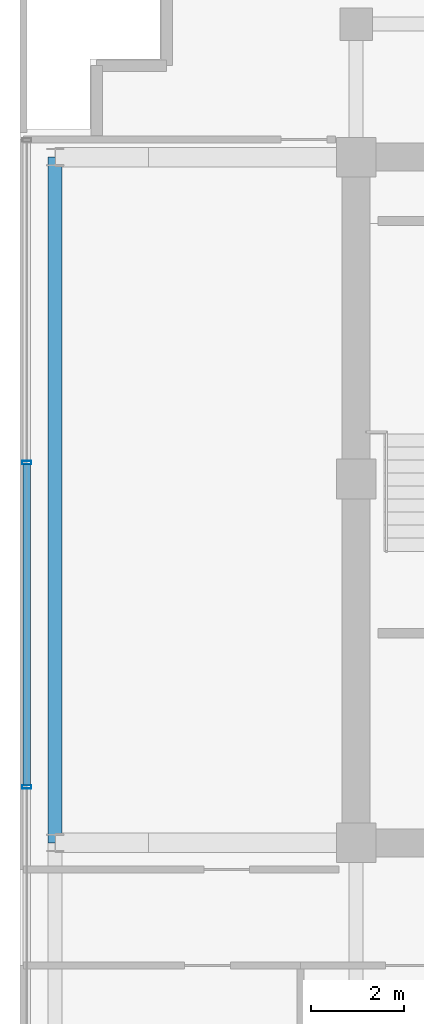
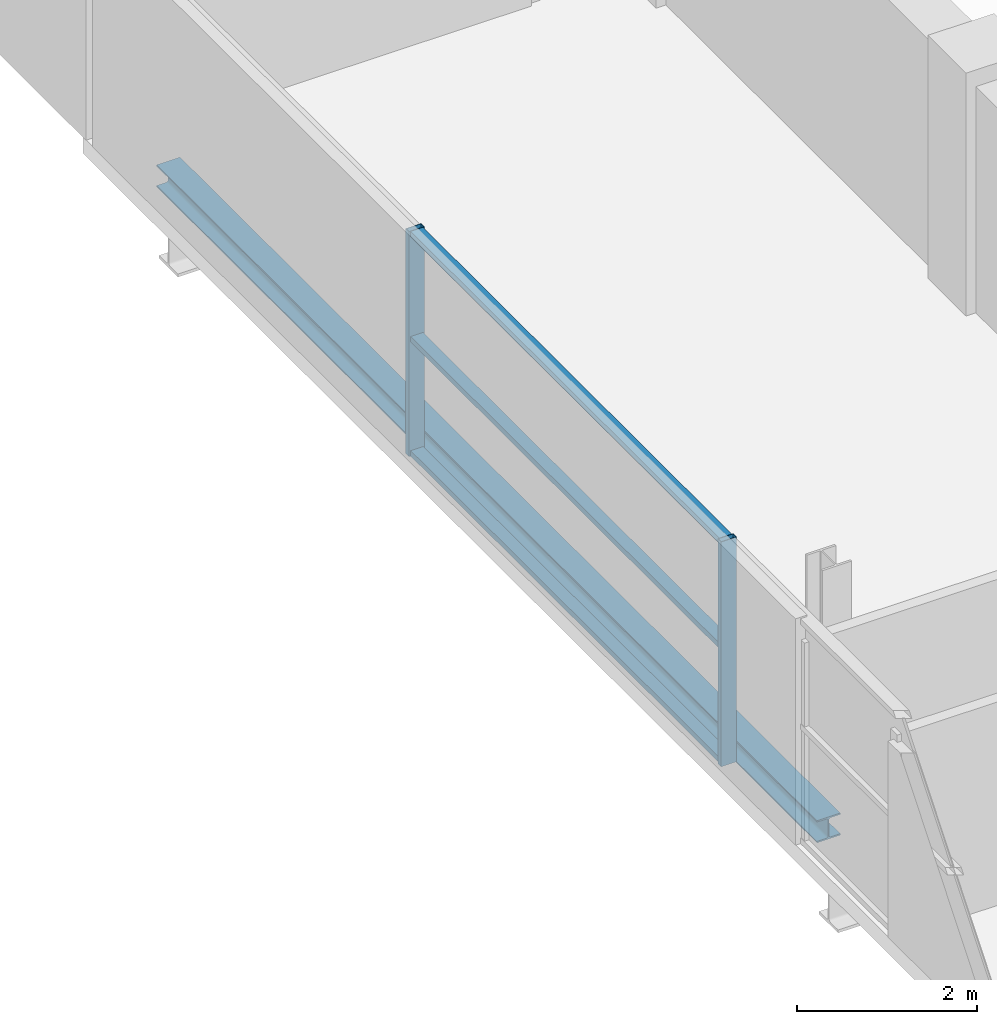
# One storey, part 9 of 29: 5 members, 1 beam, 1 element without a shape of its own.
"""IFC4 building model written with IfcOpenShell, lengths in metres."""

from ifc_helpers import new_model, si_unit, direction, frame, origin, origin_2d, place, context, subcontext, project, spatial, hollow_rectangle, i_section, extrude, source, transform, mapped, material, layer, layer_set, material_profile, profile_set, type_object, element, aggregate, save


model = new_model("IFC4")

# Units and contexts
model_context = context("Model", 3, precision=1e-05, world=origin(), true_north=direction((0.0, 1.0)))
body_context = subcontext(model_context, "Body", "Model", "MODEL_VIEW")
ifc_project = project(units=[si_unit("LENGTHUNIT", "METRE"), si_unit("AREAUNIT", "SQUARE_METRE"), si_unit("VOLUMEUNIT", "CUBIC_METRE"), si_unit("PLANEANGLEUNIT", "RADIAN"), si_unit("MASSUNIT", "GRAM", prefix="KILO")], contexts=[model_context])

# Site, building, storey
site_placement = place(None, origin())
site = spatial("IfcSite", under=ifc_project, at=site_placement, CompositionType="ELEMENT")
building_placement = place(site_placement, origin())
building = spatial("IfcBuilding", under=site, at=building_placement, Name="Zarnakvel Exchange Tower", CompositionType="ELEMENT")
storey_placement = place(building_placement, frame((0.0, 0.0, 258.39990234375)))
storey = spatial("IfcBuildingStorey", under=building, at=storey_placement, Name="L73", CompositionType="ELEMENT", Elevation=258.39990234375)

# Beam
ifc_material_1 = material(Name="Steel S355", Category="steel")
ifc_material_profile_1 = material_profile(ifc_material_1, i_section(OverallWidth=0.300048828125, OverallDepth=0.300048828125, WebThickness=0.010986328125, FlangeThickness=0.01904296875, FilletRadius=0.027099609375, at=origin_2d()))
ifc_profile_set_1 = profile_set([ifc_material_profile_1], Name="Steel S355")
beam_type = type_object("IfcBeamType", Name="SP-03", PredefinedType="SPANDREL", material=ifc_profile_set_1)
beam_placement = place(storey_placement, frame((-20.85009765625, -1.199951171875, -0.375), z_axis=(0.0, 1.0, 0.0), x_axis=(-1.0, 0.0, 0.0)))
element("IfcBeam", 1, at=beam_placement, inside=storey, type_object=beam_type, Name="L73 Tower N-S Frame Beam", PredefinedType="SPANDREL", context=body_context, shape_type="SweptSolid", body=[
    extrude(i_section(OverallWidth=0.300048828125, OverallDepth=0.300048828125, WebThickness=0.010986328125, FlangeThickness=0.01904296875, FilletRadius=0.027099609375, at=origin_2d()), origin(), (0.0, 0.0, 1.0), 14.699951171875),
])

# Curtain wall, members
ifc_material_2 = material(Name="Architectural Bronze Anodised Aluminium", Category="aluminium")
ifc_layer = layer(ifc_material_2, 0.199951171875)
ifc_layer_set = layer_set([ifc_layer], Name="Architectural Bronze Anodised Aluminium")
curtain_wall_type = type_object("IfcCurtainWallType", Name="CW-04", PredefinedType="NOTDEFINED", material=ifc_layer_set)
curtain_wall_placement = place(storey_placement, origin())
curtain_wall = element("IfcCurtainWall", 2, at=curtain_wall_placement, inside=storey, type_object=curtain_wall_type, Name="L73 Curtain Wall CW-L73-W1 (CW-04)", PredefinedType="NOTDEFINED")
ifc_material_profile_2 = material_profile(ifc_material_2, hollow_rectangle(XDim=0.199951171875, YDim=0.074951171875, WallThickness=0.0048828125, at=origin_2d()))
ifc_profile_set_2 = profile_set([ifc_material_profile_2], Name="Architectural Bronze Anodised Aluminium")
member_type_1 = type_object("IfcMemberType", Name="CWM-04", PredefinedType="MULLION", material=ifc_profile_set_2)
shared_shape_1 = source(origin(), body_context, "Body", "SweptSolid", [
    extrude(hollow_rectangle(XDim=0.199951171875, YDim=0.074951171875, WallThickness=0.0048828125, at=origin_2d()), origin(), (0.0, 0.0, 1.0), 3.05517578125),
])
member_1_placement = place(storey_placement, frame((-21.4599609375, 0.0, 0.0), z_axis=(0.0, 0.0, 1.0), x_axis=(-1.0, 0.0, 0.0)))
member_1 = element("IfcMember", 3, at=member_1_placement, type_object=member_type_1, Name="CW-04 mullion 3", PredefinedType="MULLION", context=body_context, shape_type="MappedRepresentation", body=[
    mapped(shared_shape_1, transform((0.0, 0.0, 0.0), x_axis=(1.0, 0.0, 0.0), y_axis=(0.0, 1.0, 0.0), z_axis=(0.0, 0.0, 1.0), scale=1.0)),
])
member_2_placement = place(storey_placement, frame((-21.4599609375, 6.949951171875, 0.0), z_axis=(0.0, 0.0, 1.0), x_axis=(-1.0, 0.0, 0.0)))
member_2 = element("IfcMember", 4, at=member_2_placement, type_object=member_type_1, Name="CW-04 mullion 4", PredefinedType="MULLION", context=body_context, shape_type="MappedRepresentation", body=[
    mapped(shared_shape_1, transform((0.0, 0.0, 0.0), x_axis=(1.0, 0.0, 0.0), y_axis=(0.0, 1.0, 0.0), z_axis=(0.0, 0.0, 1.0), scale=1.0)),
])
ifc_material_profile_3 = material_profile(ifc_material_2, hollow_rectangle(XDim=0.159912109375, YDim=0.074951171875, WallThickness=0.00390625, at=origin_2d()))
ifc_profile_set_3 = profile_set([ifc_material_profile_3], Name="Architectural Bronze Anodised Aluminium")
member_type_2 = type_object("IfcMemberType", Name="CWT-04", PredefinedType="USERDEFINED", material=ifc_profile_set_3)
shared_shape_2 = source(origin(), body_context, "Body", "SweptSolid", [
    extrude(hollow_rectangle(XDim=0.159912109375, YDim=0.074951171875, WallThickness=0.00390625, at=origin_2d()), origin(), (0.0, 0.0, 1.0), 6.875),
])
member_3_placement = place(storey_placement, frame((-21.4599609375, 0.03759765625, 0.03759765625), z_axis=(0.0, 1.0, 0.0), x_axis=(-1.0, 0.0, 0.0)))
member_3 = element("IfcMember", 5, at=member_3_placement, type_object=member_type_2, Name="CW-04 transom 3.1", ObjectType="TRANSOM", PredefinedType="USERDEFINED", context=body_context, shape_type="MappedRepresentation", body=[
    mapped(shared_shape_2, transform((0.0, 0.0, 0.0), x_axis=(1.0, 0.0, 0.0), y_axis=(0.0, 1.0, 0.0), z_axis=(0.0, 0.0, 1.0), scale=1.0)),
])
member_4_placement = place(storey_placement, frame((-21.4599609375, 0.03759765625, 1.588623046875), z_axis=(0.0, 1.0, 0.0), x_axis=(-1.0, 0.0, 0.0)))
member_4 = element("IfcMember", 6, at=member_4_placement, type_object=member_type_2, Name="CW-04 transom 3.2", ObjectType="TRANSOM", PredefinedType="USERDEFINED", context=body_context, shape_type="MappedRepresentation", body=[
    mapped(shared_shape_2, transform((0.0, 0.0, 0.0), x_axis=(1.0, 0.0, 0.0), y_axis=(0.0, 1.0, 0.0), z_axis=(0.0, 0.0, 1.0), scale=1.0)),
])
member_5_placement = place(storey_placement, frame((-21.4599609375, 0.03759765625, 3.017578125), z_axis=(0.0, 1.0, 0.0), x_axis=(-1.0, 0.0, 0.0)))
member_5 = element("IfcMember", 7, at=member_5_placement, type_object=member_type_2, Name="CW-04 transom 3.3", ObjectType="TRANSOM", PredefinedType="USERDEFINED", context=body_context, shape_type="MappedRepresentation", body=[
    mapped(shared_shape_2, transform((0.0, 0.0, 0.0), x_axis=(1.0, 0.0, 0.0), y_axis=(0.0, 1.0, 0.0), z_axis=(0.0, 0.0, 1.0), scale=1.0)),
])
aggregate(curtain_wall, [member_1, member_2, member_3, member_4, member_5])

save(model, "model.ifc")
